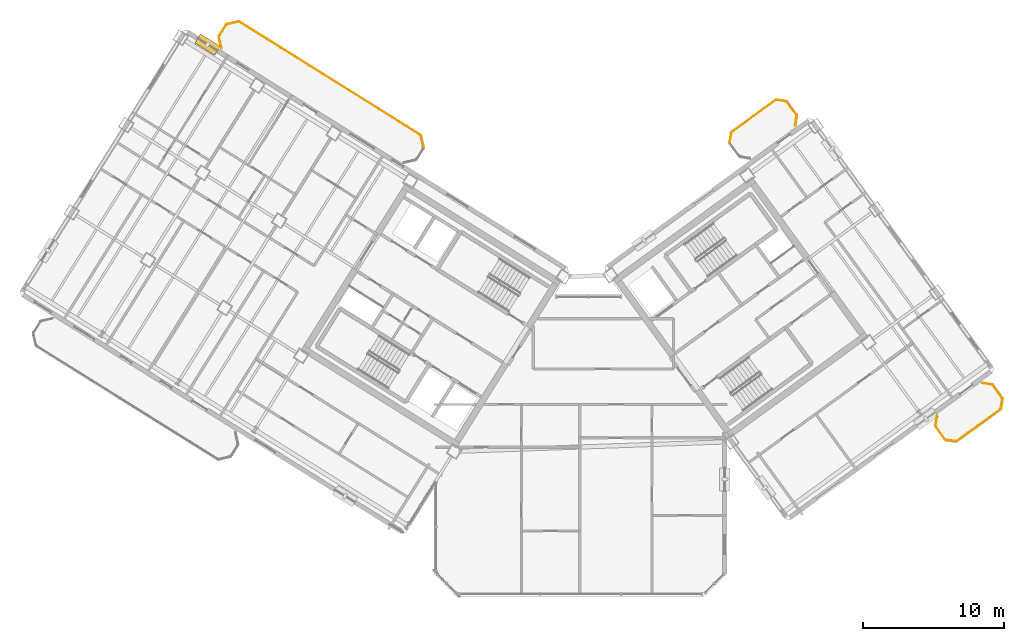
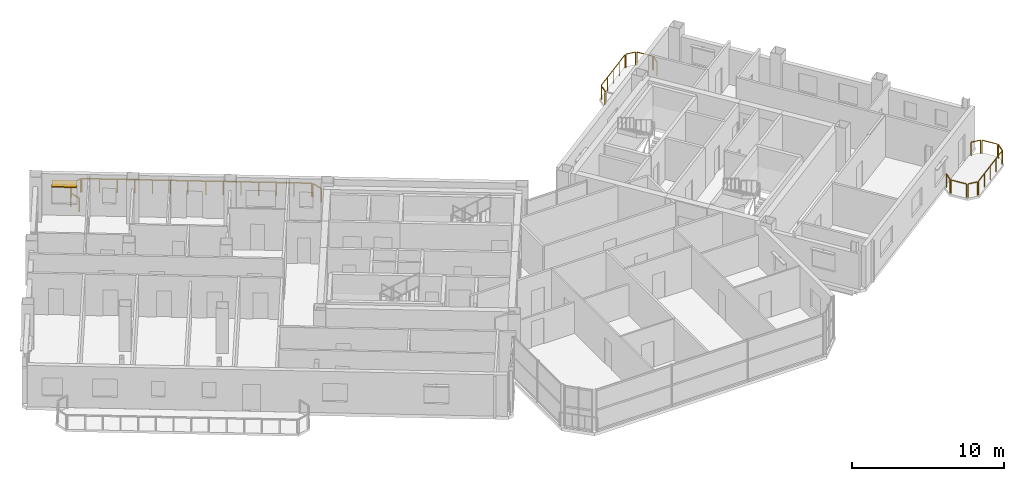
# One storey, part 27 of 27: 17 railings, 1 shading device.
"""IFC4 building model written with IfcOpenShell, lengths in metres."""

from ifc_helpers import new_model, si_unit, direction, frame, origin, origin_2d, place, context, subcontext, project, spatial, rectangle, extrude, source, transform, mapped, material, layer, layer_set, type_object, element, save


model = new_model("IFC4")

# Units and contexts
model_context = context("Model", 3, precision=1e-05, world=origin(), true_north=direction((0.0, 1.0)))
body_context = subcontext(model_context, "Body", "Model", "MODEL_VIEW")
ifc_project = project(units=[si_unit("LENGTHUNIT", "METRE"), si_unit("AREAUNIT", "SQUARE_METRE"), si_unit("VOLUMEUNIT", "CUBIC_METRE"), si_unit("PLANEANGLEUNIT", "RADIAN"), si_unit("MASSUNIT", "GRAM", prefix="KILO")], contexts=[model_context])

# Site, building, storey
site_placement = place(None, origin())
site = spatial("IfcSite", under=ifc_project, at=site_placement, CompositionType="ELEMENT")
building_placement = place(site_placement, origin())
building = spatial("IfcBuilding", under=site, at=building_placement, Name="Tlacorven Tower", CompositionType="ELEMENT")
storey_placement = place(building_placement, frame((0.0, 0.0, 242.10009765625)))
storey = spatial("IfcBuildingStorey", under=building, at=storey_placement, Name="L61", CompositionType="ELEMENT", Elevation=242.10009765625)

# Railings
ifc_material_1 = material(Name="Aluminium and painted steel balustrade", Category="steel")
railing_type = type_object("IfcRailingType", Name="RL-BAL-1100", PredefinedType="BALUSTRADE", material=ifc_material_1)
shared_shape_1 = source(origin(), body_context, "Body", "SweptSolid", [
    extrude(rectangle(XDim=0.048095703125, YDim=0.048095703125, at=origin_2d()), frame((0.0, 0.0, 1.076171875), z_axis=(0.225058334816, -0.974345290916, 0.0), x_axis=(0.974345290916, 0.225058334816, 0.0)), (0.0, 0.0, 1.0), 0.80712890625),
    extrude(rectangle(XDim=0.0419921875, YDim=0.0419921875, at=origin_2d()), origin(), (0.0, 0.0, 1.0), 1.052001953125),
    extrude(rectangle(XDim=0.0419921875, YDim=0.0419921875, at=origin_2d()), frame((0.181640625, -0.786376953125, 0.0)), (0.0, 0.0, 1.0), 1.052001953125),
])
railing_1_placement = place(storey_placement, frame((30.6796875, 34.466064453125, 0.0)))
element("IfcRailing", 1, at=railing_1_placement, inside=storey, type_object=railing_type, Name="BAL-L61-W-IN Guard Railing 1", PredefinedType="BALUSTRADE", context=body_context, shape_type="MappedRepresentation", body=[
    mapped(shared_shape_1, transform((0.0, 0.0, 0.0), scale=1.0)),
])
shared_shape_2 = source(origin(), body_context, "Body", "SweptSolid", [
    extrude(rectangle(XDim=0.048095703125, YDim=0.048095703125, at=origin_2d()), frame((0.0, 0.0, 1.076171875), z_axis=(-0.225058334816, 0.974345290916, 0.0), x_axis=(-0.974345290916, -0.225058334816, 0.0)), (0.0, 0.0, 1.0), 0.80712890625),
    extrude(rectangle(XDim=0.0419921875, YDim=0.0419921875, at=origin_2d()), origin(), (0.0, 0.0, 1.0), 1.052001953125),
    extrude(rectangle(XDim=0.0419921875, YDim=0.0419921875, at=origin_2d()), frame((-0.181640625, 0.786376953125, 0.0)), (0.0, 0.0, 1.0), 1.052001953125),
])
railing_2_placement = place(storey_placement, frame((16.5361328125, 40.68115234375, 0.0)))
element("IfcRailing", 2, at=railing_2_placement, inside=storey, type_object=railing_type, Name="BAL-L61-W-IN Guard Railing 4", PredefinedType="BALUSTRADE", context=body_context, shape_type="MappedRepresentation", body=[
    mapped(shared_shape_2, transform((0.0, 0.0, 0.0), scale=1.0)),
])
shared_shape_3 = source(origin(), body_context, "Body", "SweptSolid", [
    extrude(rectangle(XDim=0.048095703125, YDim=0.048095703125, at=origin_2d()), frame((0.0, 0.0, 1.076171875), z_axis=(0.52987865805, 0.848073468364, 0.0), x_axis=(-0.848073468364, 0.52987865805, 0.0)), (0.0, 0.0, 1.0), 0.912353515625),
    extrude(rectangle(XDim=0.0419921875, YDim=0.0419921875, at=origin_2d()), origin(), (0.0, 0.0, 1.0), 1.052001953125),
    extrude(rectangle(XDim=0.0419921875, YDim=0.0419921875, at=origin_2d()), frame((0.4833984375, 0.773681640625, 0.0)), (0.0, 0.0, 1.0), 1.052001953125),
])
railing_3_placement = place(storey_placement, frame((16.369873046875, 41.55859375, 0.0)))
element("IfcRailing", 3, at=railing_3_placement, inside=storey, type_object=railing_type, Name="BAL-L61-W-IN Guard Railing 5", PredefinedType="BALUSTRADE", context=body_context, shape_type="MappedRepresentation", body=[
    mapped(shared_shape_3, transform((0.0, 0.0, 0.0), scale=1.0)),
])
shared_shape_4 = source(origin(), body_context, "Body", "SweptSolid", [
    extrude(rectangle(XDim=0.048095703125, YDim=0.048095703125, at=origin_2d()), frame((0.0, 0.0, 1.076171875), z_axis=(0.974411586182, 0.224771129628, 0.0), x_axis=(-0.224771129628, 0.974411586182, 0.0)), (0.0, 0.0, 1.0), 0.80712890625),
    extrude(rectangle(XDim=0.0419921875, YDim=0.0419921875, at=origin_2d()), origin(), (0.0, 0.0, 1.0), 1.052001953125),
    extrude(rectangle(XDim=0.0419921875, YDim=0.0419921875, at=origin_2d()), frame((0.786376953125, 0.181396484375, 0.0)), (0.0, 0.0, 1.0), 1.052001953125),
])
railing_4_placement = place(storey_placement, frame((16.928466796875, 42.385986328125, 0.0)))
element("IfcRailing", 4, at=railing_4_placement, inside=storey, type_object=railing_type, Name="BAL-L61-W-IN Guard Railing 6", PredefinedType="BALUSTRADE", context=body_context, shape_type="MappedRepresentation", body=[
    mapped(shared_shape_4, transform((0.0, 0.0, 0.0), scale=1.0)),
])
shared_shape_5 = source(origin(), body_context, "Body", "SweptSolid", [
    extrude(rectangle(XDim=0.048095703125, YDim=0.048095703125, at=origin_2d()), frame((0.0, 0.0, 1.076171875), z_axis=(0.848044572804, -0.529924902733, 0.0), x_axis=(0.529924902733, 0.848044572804, 0.0)), (0.0, 0.0, 1.0), 15.1171875),
    extrude(rectangle(XDim=0.0419921875, YDim=0.0419921875, at=origin_2d()), origin(), (0.0, 0.0, 1.0), 1.052001953125),
    extrude(rectangle(XDim=0.0419921875, YDim=0.0419921875, at=origin_2d()), frame((0.986083984375, -0.6162109375, 0.0)), (0.0, 0.0, 1.0), 1.052001953125),
    extrude(rectangle(XDim=0.0419921875, YDim=0.0419921875, at=origin_2d()), frame((1.972412109375, -1.232421875, 0.0)), (0.0, 0.0, 1.0), 1.052001953125),
    extrude(rectangle(XDim=0.0419921875, YDim=0.0419921875, at=origin_2d()), frame((2.95849609375, -1.8486328125, 0.0)), (0.0, 0.0, 1.0), 1.052001953125),
    extrude(rectangle(XDim=0.0419921875, YDim=0.0419921875, at=origin_2d()), frame((3.944580078125, -2.46484375, 0.0)), (0.0, 0.0, 1.0), 1.052001953125),
    extrude(rectangle(XDim=0.0419921875, YDim=0.0419921875, at=origin_2d()), frame((4.930908203125, -3.0810546875, 0.0)), (0.0, 0.0, 1.0), 1.052001953125),
    extrude(rectangle(XDim=0.0419921875, YDim=0.0419921875, at=origin_2d()), frame((5.9169921875, -3.697265625, 0.0)), (0.0, 0.0, 1.0), 1.052001953125),
    extrude(rectangle(XDim=0.0419921875, YDim=0.0419921875, at=origin_2d()), frame((6.903076171875, -4.313720703125, 0.0)), (0.0, 0.0, 1.0), 1.052001953125),
    extrude(rectangle(XDim=0.0419921875, YDim=0.0419921875, at=origin_2d()), frame((7.88916015625, -4.929931640625, 0.0)), (0.0, 0.0, 1.0), 1.052001953125),
    extrude(rectangle(XDim=0.0419921875, YDim=0.0419921875, at=origin_2d()), frame((8.87548828125, -5.546142578125, 0.0)), (0.0, 0.0, 1.0), 1.052001953125),
    extrude(rectangle(XDim=0.0419921875, YDim=0.0419921875, at=origin_2d()), frame((9.861572265625, -6.162353515625, 0.0)), (0.0, 0.0, 1.0), 1.052001953125),
    extrude(rectangle(XDim=0.0419921875, YDim=0.0419921875, at=origin_2d()), frame((10.84765625, -6.778564453125, 0.0)), (0.0, 0.0, 1.0), 1.052001953125),
    extrude(rectangle(XDim=0.0419921875, YDim=0.0419921875, at=origin_2d()), frame((11.833984375, -7.394775390625, 0.0)), (0.0, 0.0, 1.0), 1.052001953125),
    extrude(rectangle(XDim=0.0419921875, YDim=0.0419921875, at=origin_2d()), frame((12.820068359375, -8.010986328125, 0.0)), (0.0, 0.0, 1.0), 1.052001953125),
])
railing_5_placement = place(storey_placement, frame((17.805908203125, 42.55224609375, 0.0)))
element("IfcRailing", 5, at=railing_5_placement, inside=storey, type_object=railing_type, Name="BAL-L61-W-IN Guard Railing 7", PredefinedType="BALUSTRADE", context=body_context, shape_type="MappedRepresentation", body=[
    mapped(shared_shape_5, transform((0.0, 0.0, 0.0), scale=1.0)),
])
shared_shape_6 = source(origin(), body_context, "Body", "SweptSolid", [
    extrude(rectangle(XDim=0.048095703125, YDim=0.048095703125, at=origin_2d()), frame((0.0, 0.0, 1.076171875), z_axis=(-0.987661653326, 0.156602868908, 0.0), x_axis=(-0.156602868908, -0.987661653326, 0.0)), (0.0, 0.0, 1.0), 0.665771484375),
    extrude(rectangle(XDim=0.0419921875, YDim=0.0419921875, at=origin_2d()), origin(), (0.0, 0.0, 1.0), 1.052001953125),
    extrude(rectangle(XDim=0.0419921875, YDim=0.0419921875, at=origin_2d()), frame((-0.657470703125, 0.104248046875, 0.0)), (0.0, 0.0, 1.0), 1.052001953125),
])
railing_6_placement = place(storey_placement, frame((68.59521484375, 12.7919921875, 0.0)))
element("IfcRailing", 6, at=railing_6_placement, inside=storey, type_object=railing_type, Name="BAL-L61-E-OUT Guard Railing 1", PredefinedType="BALUSTRADE", context=body_context, shape_type="MappedRepresentation", body=[
    mapped(shared_shape_6, transform((0.0, 0.0, 0.0), scale=1.0)),
])
shared_shape_7 = source(origin(), body_context, "Body", "SweptSolid", [
    extrude(rectangle(XDim=0.048095703125, YDim=0.048095703125, at=origin_2d()), frame((0.0, 0.0, 1.076171875), z_axis=(-0.58788449985, 0.808944877501, 0.0), x_axis=(-0.808944877501, -0.58788449985, 0.0)), (0.0, 0.0, 1.0), 1.112060546875),
    extrude(rectangle(XDim=0.0419921875, YDim=0.0419921875, at=origin_2d()), origin(), (0.0, 0.0, 1.0), 1.052001953125),
    extrude(rectangle(XDim=0.0419921875, YDim=0.0419921875, at=origin_2d()), frame((-0.65380859375, 0.899658203125, 0.0)), (0.0, 0.0, 1.0), 1.052001953125),
])
railing_7_placement = place(storey_placement, frame((67.85888671875, 12.944580078125, 0.0)))
element("IfcRailing", 7, at=railing_7_placement, inside=storey, type_object=railing_type, Name="BAL-L61-E-OUT Guard Railing 2", PredefinedType="BALUSTRADE", context=body_context, shape_type="MappedRepresentation", body=[
    mapped(shared_shape_7, transform((0.0, 0.0, 0.0), scale=1.0)),
])
shared_shape_8 = source(origin(), body_context, "Body", "SweptSolid", [
    extrude(rectangle(XDim=0.048095703125, YDim=0.048095703125, at=origin_2d()), frame((0.0, 0.0, 1.076171875), z_axis=(0.156602868908, 0.987661653326, 0.0), x_axis=(-0.987661653326, 0.156602868908, 0.0)), (0.0, 0.0, 1.0), 0.665771484375),
    extrude(rectangle(XDim=0.0419921875, YDim=0.0419921875, at=origin_2d()), origin(), (0.0, 0.0, 1.0), 1.052001953125),
    extrude(rectangle(XDim=0.0419921875, YDim=0.0419921875, at=origin_2d()), frame((0.104248046875, 0.657470703125, 0.0)), (0.0, 0.0, 1.0), 1.052001953125),
])
railing_8_placement = place(storey_placement, frame((67.18359375, 13.93408203125, 0.0)))
element("IfcRailing", 8, at=railing_8_placement, inside=storey, type_object=railing_type, Name="BAL-L61-E-OUT Guard Railing 3", PredefinedType="BALUSTRADE", context=body_context, shape_type="MappedRepresentation", body=[
    mapped(shared_shape_8, transform((0.0, 0.0, 0.0), scale=1.0)),
])
shared_shape_9 = source(origin(), body_context, "Body", "SweptSolid", [
    extrude(rectangle(XDim=0.048095703125, YDim=0.048095703125, at=origin_2d()), frame((0.0, 0.0, 1.076171875), z_axis=(0.987718317463, -0.156245081039, 0.0), x_axis=(0.156245081039, 0.987718317463, 0.0)), (0.0, 0.0, 1.0), 0.66552734375),
    extrude(rectangle(XDim=0.0419921875, YDim=0.0419921875, at=origin_2d()), origin(), (0.0, 0.0, 1.0), 1.052001953125),
    extrude(rectangle(XDim=0.0419921875, YDim=0.0419921875, at=origin_2d()), frame((0.657470703125, -0.10400390625, 0.0)), (0.0, 0.0, 1.0), 1.052001953125),
])
railing_9_placement = place(storey_placement, frame((70.513916015625, 16.935546875, 0.0)))
element("IfcRailing", 9, at=railing_9_placement, inside=storey, type_object=railing_type, Name="BAL-L61-E-OUT Guard Railing 4", PredefinedType="BALUSTRADE", context=body_context, shape_type="MappedRepresentation", body=[
    mapped(shared_shape_9, transform((0.0, 0.0, 0.0), scale=1.0)),
])
shared_shape_10 = source(origin(), body_context, "Body", "SweptSolid", [
    extrude(rectangle(XDim=0.048095703125, YDim=0.048095703125, at=origin_2d()), frame((0.0, 0.0, 1.076171875), z_axis=(0.58788449985, -0.808944877501, 0.0), x_axis=(0.808944877501, 0.58788449985, 0.0)), (0.0, 0.0, 1.0), 1.112060546875),
    extrude(rectangle(XDim=0.0419921875, YDim=0.0419921875, at=origin_2d()), origin(), (0.0, 0.0, 1.0), 1.052001953125),
    extrude(rectangle(XDim=0.0419921875, YDim=0.0419921875, at=origin_2d()), frame((0.65380859375, -0.899658203125, 0.0)), (0.0, 0.0, 1.0), 1.052001953125),
])
for number, where, name in (
    (10, (71.250244140625, 16.783203125, 0.0), "BAL-L61-E-OUT Guard Railing 5"),
    (11, (56.658447265625, 36.866943359375, 0.0), "BAL-L61-E-IN Guard Railing 6"),
):
    element("IfcRailing", number, at=place(storey_placement, frame(where)), inside=storey, type_object=railing_type, Name=name, PredefinedType="BALUSTRADE", context=body_context, shape_type="MappedRepresentation", body=[
        mapped(shared_shape_10, transform((0.0, 0.0, 0.0), scale=1.0)),
    ])
shared_shape_11 = source(origin(), body_context, "Body", "SweptSolid", [
    extrude(rectangle(XDim=0.048095703125, YDim=0.048095703125, at=origin_2d()), frame((0.0, 0.0, 1.076171875), z_axis=(-0.156188498702, -0.987727266442, 0.0), x_axis=(0.987727266442, -0.156188498702, 0.0)), (0.0, 0.0, 1.0), 0.665771484375),
    extrude(rectangle(XDim=0.0419921875, YDim=0.0419921875, at=origin_2d()), origin(), (0.0, 0.0, 1.0), 1.052001953125),
    extrude(rectangle(XDim=0.0419921875, YDim=0.0419921875, at=origin_2d()), frame((-0.10400390625, -0.65771484375, 0.0)), (0.0, 0.0, 1.0), 1.052001953125),
])
railing_10_placement = place(storey_placement, frame((71.925537109375, 15.793701171875, 0.0)))
element("IfcRailing", 12, at=railing_10_placement, inside=storey, type_object=railing_type, Name="BAL-L61-E-OUT Guard Railing 6", PredefinedType="BALUSTRADE", context=body_context, shape_type="MappedRepresentation", body=[
    mapped(shared_shape_11, transform((0.0, 0.0, 0.0), scale=1.0)),
])
shared_shape_12 = source(origin(), body_context, "Body", "SweptSolid", [
    extrude(rectangle(XDim=0.048095703125, YDim=0.048095703125, at=origin_2d()), frame((0.0, 0.0, 1.076171875), z_axis=(-0.809018102573, -0.587783726986, 0.0), x_axis=(0.587783726986, -0.809018102573, 0.0)), (0.0, 0.0, 1.0), 3.817138671875),
    extrude(rectangle(XDim=0.0419921875, YDim=0.0419921875, at=origin_2d()), origin(), (0.0, 0.0, 1.0), 1.052001953125),
    extrude(rectangle(XDim=0.0419921875, YDim=0.0419921875, at=origin_2d()), frame((-0.77197265625, -0.56103515625, 0.0)), (0.0, 0.0, 1.0), 1.052001953125),
    extrude(rectangle(XDim=0.0419921875, YDim=0.0419921875, at=origin_2d()), frame((-1.5439453125, -1.121826171875, 0.0)), (0.0, 0.0, 1.0), 1.052001953125),
    extrude(rectangle(XDim=0.0419921875, YDim=0.0419921875, at=origin_2d()), frame((-2.316162109375, -1.6826171875, 0.0)), (0.0, 0.0, 1.0), 1.052001953125),
    extrude(rectangle(XDim=0.0419921875, YDim=0.0419921875, at=origin_2d()), frame((-3.088134765625, -2.24365234375, 0.0)), (0.0, 0.0, 1.0), 1.052001953125),
])
railing_11_placement = place(storey_placement, frame((71.773193359375, 15.057373046875, 0.0)))
element("IfcRailing", 13, at=railing_11_placement, inside=storey, type_object=railing_type, Name="BAL-L61-E-OUT Guard Railing 7", PredefinedType="BALUSTRADE", context=body_context, shape_type="MappedRepresentation", body=[
    mapped(shared_shape_12, transform((0.0, 0.0, 0.0), scale=1.0)),
])
shared_shape_13 = source(origin(), body_context, "Body", "SweptSolid", [
    extrude(rectangle(XDim=0.048095703125, YDim=0.048095703125, at=origin_2d()), frame((0.0, 0.0, 1.076171875), z_axis=(0.156546163506, 0.987670642822, 0.0), x_axis=(-0.987670642822, 0.156546163506, 0.0)), (0.0, 0.0, 1.0), 0.666015625),
    extrude(rectangle(XDim=0.0419921875, YDim=0.0419921875, at=origin_2d()), origin(), (0.0, 0.0, 1.0), 1.052001953125),
    extrude(rectangle(XDim=0.0419921875, YDim=0.0419921875, at=origin_2d()), frame((0.104248046875, 0.65771484375, 0.0)), (0.0, 0.0, 1.0), 1.052001953125),
])
railing_12_placement = place(storey_placement, frame((52.591796875, 34.017822265625, 0.0)))
element("IfcRailing", 14, at=railing_12_placement, inside=storey, type_object=railing_type, Name="BAL-L61-E-IN Guard Railing 3", PredefinedType="BALUSTRADE", context=body_context, shape_type="MappedRepresentation", body=[
    mapped(shared_shape_13, transform((0.0, 0.0, 0.0), scale=1.0)),
])
shared_shape_14 = source(origin(), body_context, "Body", "SweptSolid", [
    extrude(rectangle(XDim=0.048095703125, YDim=0.048095703125, at=origin_2d()), frame((0.0, 0.0, 1.076171875), z_axis=(0.809040198054, 0.587753313843, 0.0), x_axis=(-0.587753313843, 0.809040198054, 0.0)), (0.0, 0.0, 1.0), 3.8173828125),
    extrude(rectangle(XDim=0.0419921875, YDim=0.0419921875, at=origin_2d()), origin(), (0.0, 0.0, 1.0), 1.052001953125),
    extrude(rectangle(XDim=0.0419921875, YDim=0.0419921875, at=origin_2d()), frame((0.77197265625, 0.56103515625, 0.0)), (0.0, 0.0, 1.0), 1.052001953125),
    extrude(rectangle(XDim=0.0419921875, YDim=0.0419921875, at=origin_2d()), frame((1.544189453125, 1.121826171875, 0.0)), (0.0, 0.0, 1.0), 1.052001953125),
    extrude(rectangle(XDim=0.0419921875, YDim=0.0419921875, at=origin_2d()), frame((2.31640625, 1.6826171875, 0.0)), (0.0, 0.0, 1.0), 1.052001953125),
    extrude(rectangle(XDim=0.0419921875, YDim=0.0419921875, at=origin_2d()), frame((3.08837890625, 2.24365234375, 0.0)), (0.0, 0.0, 1.0), 1.052001953125),
])
railing_13_placement = place(storey_placement, frame((52.744140625, 34.754150390625, 0.0)))
element("IfcRailing", 15, at=railing_13_placement, inside=storey, type_object=railing_type, Name="BAL-L61-E-IN Guard Railing 4", PredefinedType="BALUSTRADE", context=body_context, shape_type="MappedRepresentation", body=[
    mapped(shared_shape_14, transform((0.0, 0.0, 0.0), scale=1.0)),
])
shared_shape_15 = source(origin(), body_context, "Body", "SweptSolid", [
    extrude(rectangle(XDim=0.048095703125, YDim=0.048095703125, at=origin_2d()), frame((0.0, 0.0, 1.076171875), z_axis=(0.987670642822, -0.156546163506, 0.0), x_axis=(0.156546163506, 0.987670642822, 0.0)), (0.0, 0.0, 1.0), 0.666015625),
    extrude(rectangle(XDim=0.0419921875, YDim=0.0419921875, at=origin_2d()), origin(), (0.0, 0.0, 1.0), 1.052001953125),
    extrude(rectangle(XDim=0.0419921875, YDim=0.0419921875, at=origin_2d()), frame((0.65771484375, -0.104248046875, 0.0)), (0.0, 0.0, 1.0), 1.052001953125),
])
railing_14_placement = place(storey_placement, frame((55.922119140625, 37.01953125, 0.0)))
element("IfcRailing", 16, at=railing_14_placement, inside=storey, type_object=railing_type, Name="BAL-L61-E-IN Guard Railing 5", PredefinedType="BALUSTRADE", context=body_context, shape_type="MappedRepresentation", body=[
    mapped(shared_shape_15, transform((0.0, 0.0, 0.0), scale=1.0)),
])
shared_shape_16 = source(origin(), body_context, "Body", "SweptSolid", [
    extrude(rectangle(XDim=0.048095703125, YDim=0.048095703125, at=origin_2d()), frame((0.0, 0.0, 1.076171875), z_axis=(-0.156245081039, -0.987718317463, 0.0), x_axis=(0.987718317463, -0.156245081039, 0.0)), (0.0, 0.0, 1.0), 0.66552734375),
    extrude(rectangle(XDim=0.0419921875, YDim=0.0419921875, at=origin_2d()), origin(), (0.0, 0.0, 1.0), 1.052001953125),
    extrude(rectangle(XDim=0.0419921875, YDim=0.0419921875, at=origin_2d()), frame((-0.10400390625, -0.657470703125, 0.0)), (0.0, 0.0, 1.0), 1.052001953125),
])
railing_15_placement = place(storey_placement, frame((57.333740234375, 35.87744140625, 0.0)))
element("IfcRailing", 17, at=railing_15_placement, inside=storey, type_object=railing_type, Name="BAL-L61-E-IN Guard Railing 7", PredefinedType="BALUSTRADE", context=body_context, shape_type="MappedRepresentation", body=[
    mapped(shared_shape_16, transform((0.0, 0.0, 0.0), scale=1.0)),
])

# Shading device
ifc_material_2 = material(Name="Anodised bronze aluminium sunshade", Category="aluminium")
ifc_layer = layer(ifc_material_2, 0.080078125)
ifc_layer_set = layer_set([ifc_layer], Name="Anodised bronze aluminium sunshade")
shading_device_type = type_object("IfcShadingDeviceType", Name="SH-SUN-BRZ", PredefinedType="AWNING", material=ifc_layer_set)
shared_shape_17 = source(origin(), body_context, "Body", "SweptSolid", [
    extrude(rectangle(XDim=1.64990234375, YDim=0.75, at=origin_2d()), origin(), (0.0, 0.0, 1.0), 0.080078125),
])
shading_device_placement = place(storey_placement, frame((15.55126953125, 40.9423828125, 2.369873046875), z_axis=(0.0, 0.0, 1.0), x_axis=(0.84804812172, -0.529919223323, 0.0)))
element("IfcShadingDevice", 18, at=shading_device_placement, inside=storey, type_object=shading_device_type, Name="L61 Solar Brise-Soleil Sunshade L61-03.1", PredefinedType="AWNING", context=body_context, shape_type="MappedRepresentation", body=[
    mapped(shared_shape_17, transform((0.0, 0.0, 0.0), scale=1.0)),
])

save(model, "model.ifc")
